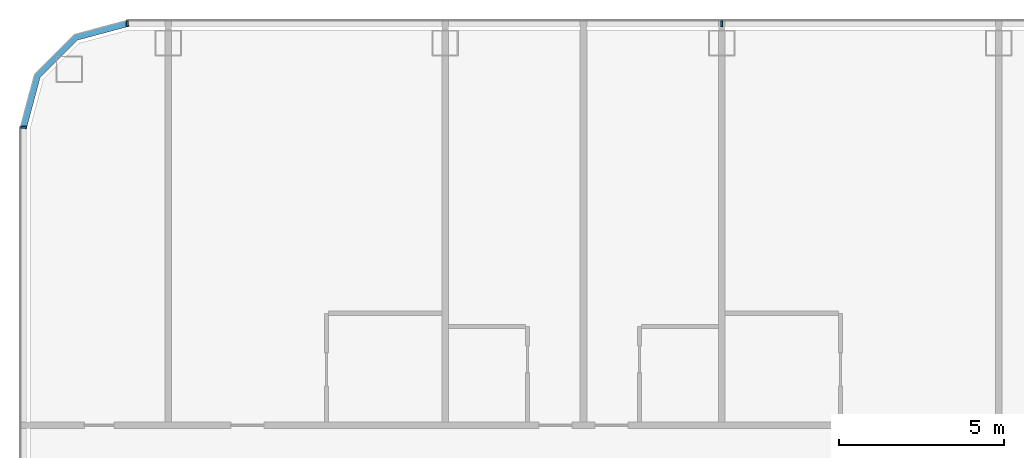
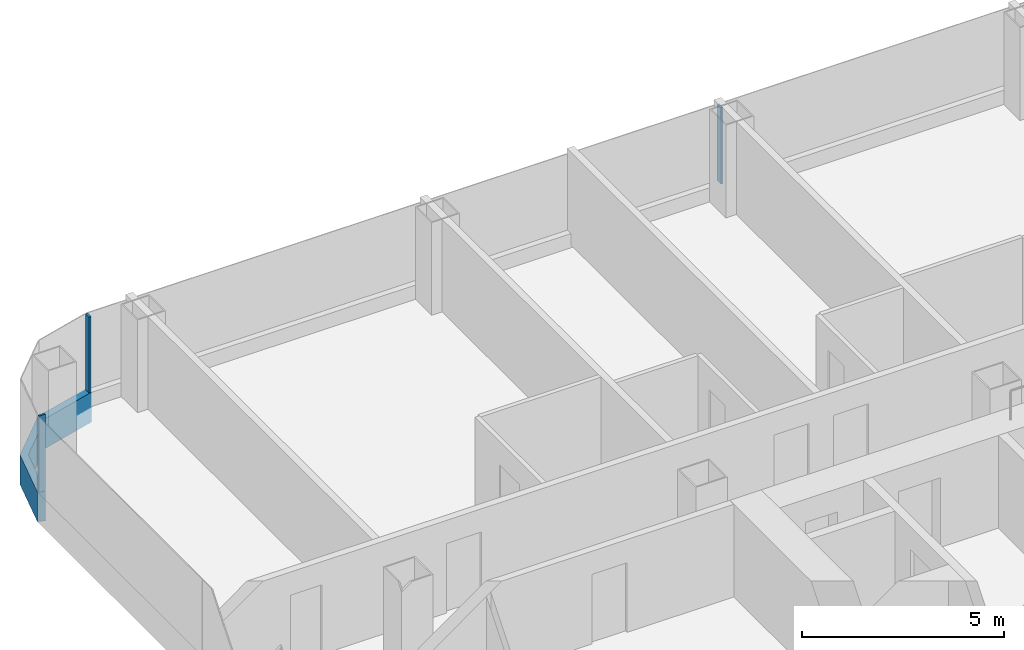
# One storey, part 7 of 29: 4 members, 3 elements without a shape of their own.
"""IFC4 building model written with IfcOpenShell, lengths in metres."""

from ifc_helpers import new_model, si_unit, direction, frame, origin, origin_2d, place, context, subcontext, project, spatial, polyline, rectangle, outline, extrude, material, layer, layer_set, material_profile, profile_set, type_object, element, aggregate, save


model = new_model("IFC4")

# Units and contexts
model_context = context("Model", 3, precision=1e-05, world=origin(), true_north=direction((0.0, 1.0)))
body_context = subcontext(model_context, "Body", "Model", "MODEL_VIEW")
ifc_project = project(units=[si_unit("LENGTHUNIT", "METRE"), si_unit("AREAUNIT", "SQUARE_METRE"), si_unit("VOLUMEUNIT", "CUBIC_METRE"), si_unit("PLANEANGLEUNIT", "RADIAN"), si_unit("MASSUNIT", "GRAM", prefix="KILO")], contexts=[model_context])

# Site, building, storey
site_placement = place(None, origin())
site = spatial("IfcSite", under=ifc_project, at=site_placement, CompositionType="ELEMENT")
building_placement = place(site_placement, origin())
building = spatial("IfcBuilding", under=site, at=building_placement, Name="Hakoniwa Tower and Hamabe Station Hall", CompositionType="ELEMENT")
storey_placement = place(building_placement, frame((0.0, 0.0, 78.60009765625)))
storey = spatial("IfcBuildingStorey", under=building, at=storey_placement, Name="L21", CompositionType="ELEMENT", Elevation=78.60009765625)

# Curtain wall, member
ifc_material_1 = material(Name="Dark low-e laminated glass", Category="glass")
ifc_layer = layer(ifc_material_1, 0.199951171875)
ifc_layer_set = layer_set([ifc_layer], Name="CW-1 UNITISED GUEST")
curtain_wall_type = type_object("IfcCurtainWallType", Name="CW-1 UNITISED GUEST", PredefinedType="NOTDEFINED", material=ifc_layer_set)
curtain_wall_1_placement = place(storey_placement, origin())
curtain_wall_1 = element("IfcCurtainWall", 1, at=curtain_wall_1_placement, inside=storey, type_object=curtain_wall_type, Name="CW-1 curtain wall", PredefinedType="NOTDEFINED")
ifc_material_2 = material(Name="Aluminium 6063-T5 black anodised", Category="aluminium")
ifc_material_profile_1 = material_profile(ifc_material_2, rectangle(XDim=0.199951171875, YDim=0.89990234375, at=origin_2d()), Name="CW SLAB-EDGE BAND 900X200")
ifc_profile_set_1 = profile_set([ifc_material_profile_1], Name="Aluminium 6063-T5 black anodised")
member_type_1 = type_object("IfcMemberType", Name="CW SLAB-EDGE BAND 900X200", PredefinedType="USERDEFINED", material=ifc_profile_set_1)
member_1_placement = place(storey_placement, frame((0.0, 0.0, -0.550048828125)))
member_1 = element("IfcMember", 2, at=member_1_placement, type_object=member_type_1, Name="CW-1 transom", ObjectType="TRANSOM", PredefinedType="USERDEFINED", context=body_context, shape_type="SweptSolid", body=[
    extrude(outline(polyline([(-43.239501953125, 23.550048828125), (-44.855224609375, 23.116943359375), (-46.067138671875, 21.9052734375), (-46.5, 20.28955078125), (-46.306884765625, 20.23779296875), (-45.8876953125, 21.8017578125), (-44.751708984375, 22.937744140625), (-43.187744140625, 23.35693359375), (-43.239501953125, 23.550048828125)])), origin(), (0.0, 0.0, 1.0), 0.89990234375),
])
aggregate(curtain_wall_1, [member_1])

# Curtain wall, members
curtain_wall_2_placement = place(storey_placement, origin())
curtain_wall_2 = element("IfcCurtainWall", 3, at=curtain_wall_2_placement, inside=storey, type_object=curtain_wall_type, Name="CW-1 curtain wall", PredefinedType="NOTDEFINED")
ifc_material_3 = material(Name="Aluminium 6063-T5 black anodised", Category="aluminium")
ifc_material_profile_2 = material_profile(ifc_material_3, rectangle(XDim=0.06005859375, YDim=0.179931640625, at=origin_2d()), Name="CW-1 MULLION 60X180")
ifc_profile_set_2 = profile_set([ifc_material_profile_2], Name="Aluminium 6063-T5 black anodised")
member_type_2 = type_object("IfcMemberType", Name="CW-1 MULLION 60X180", PredefinedType="MULLION", material=ifc_profile_set_2)
member_2_placement = place(storey_placement, frame((-25.199951171875, 23.431884765625, 0.349853515625), z_axis=(0.0, 0.0, 1.0), x_axis=(-1.0, 0.0, 0.0)))
member_2 = element("IfcMember", 4, at=member_2_placement, type_object=member_type_2, Name="CW-1 mullion", PredefinedType="MULLION", context=body_context, shape_type="SweptSolid", body=[
    extrude(rectangle(XDim=0.06005859375, YDim=0.179931640625, at=origin_2d()), origin(), (0.0, 0.0, 1.0), 2.300048828125),
])
member_3_placement = place(storey_placement, frame((-43.239501953125, 23.431884765625, 0.349853515625), z_axis=(0.0, 0.0, 1.0), x_axis=(-1.0, 0.0, 0.0)))
member_3 = element("IfcMember", 5, at=member_3_placement, type_object=member_type_2, Name="CW-1 mullion", PredefinedType="MULLION", context=body_context, shape_type="SweptSolid", body=[
    extrude(rectangle(XDim=0.06005859375, YDim=0.179931640625, at=origin_2d()), origin(), (0.0, 0.0, 1.0), 2.300048828125),
])
aggregate(curtain_wall_2, [member_2, member_3])

# Curtain wall, member
curtain_wall_3_placement = place(storey_placement, origin())
curtain_wall_3 = element("IfcCurtainWall", 6, at=curtain_wall_3_placement, inside=storey, type_object=curtain_wall_type, Name="CW-1 curtain wall", PredefinedType="NOTDEFINED")
member_4_placement = place(storey_placement, frame((-46.382080078125, 20.28955078125, 0.349853515625), z_axis=(0.0, 0.0, 1.0), x_axis=(0.0, -1.0, 0.0)))
member_4 = element("IfcMember", 7, at=member_4_placement, type_object=member_type_2, Name="CW-1 mullion", PredefinedType="MULLION", context=body_context, shape_type="SweptSolid", body=[
    extrude(rectangle(XDim=0.06005859375, YDim=0.179931640625, at=origin_2d()), origin(), (0.0, 0.0, 1.0), 2.300048828125),
])
aggregate(curtain_wall_3, [member_4])

save(model, "model.ifc")
